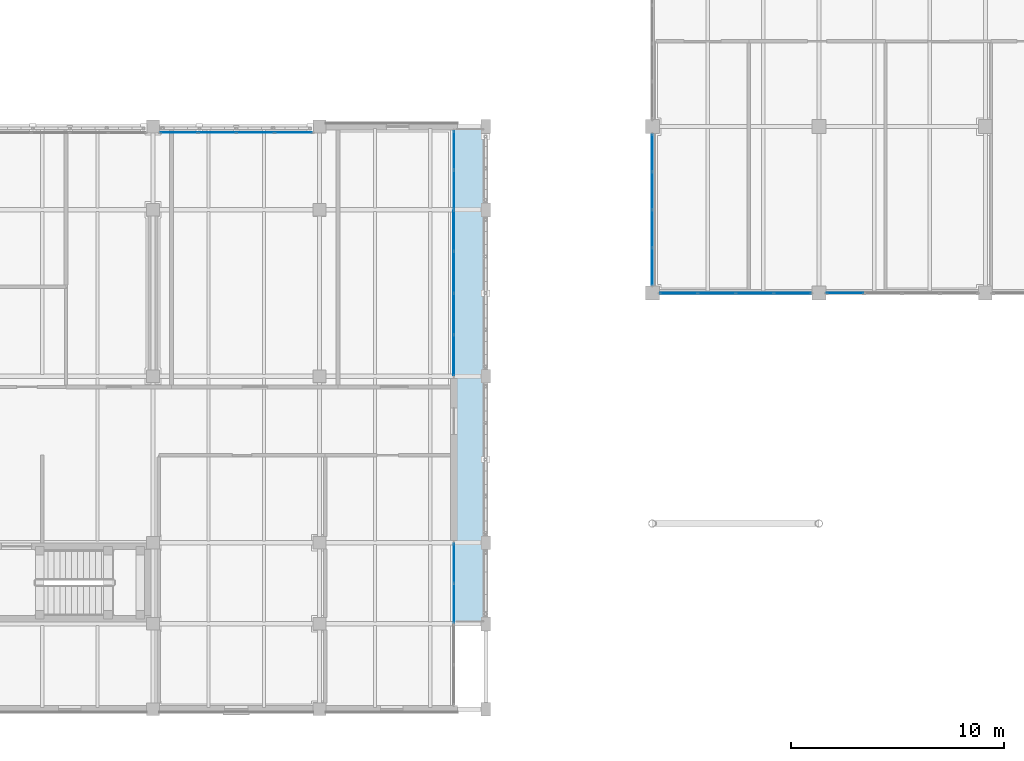
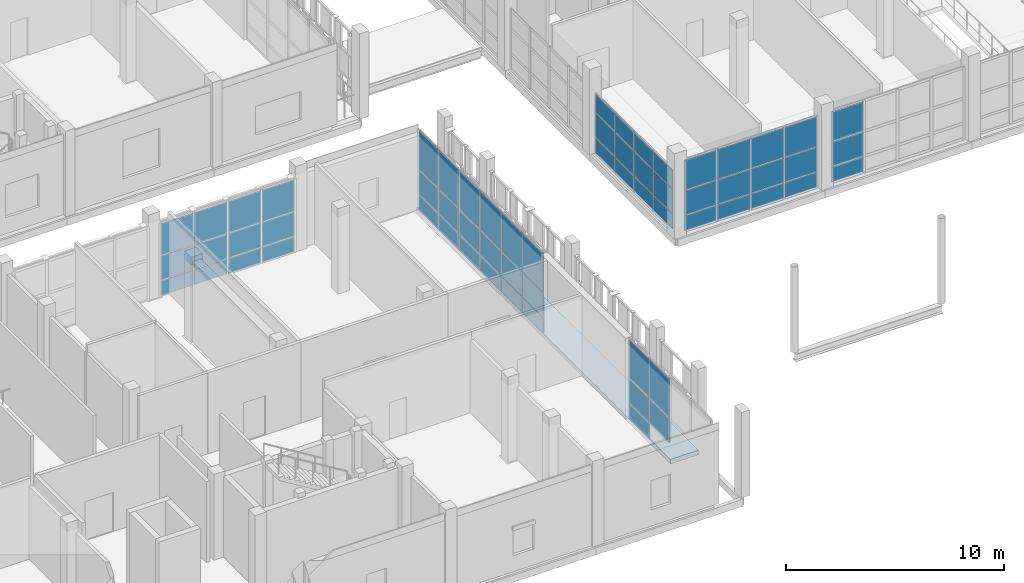
# One storey, part 77 of 138: 62 plates, 1 slab, 7 elements without a shape of their own.
"""IFC4 building model written with IfcOpenShell, lengths in metres."""

from ifc_helpers import new_model, si_unit, direction, frame, origin, origin_2d, place, context, subcontext, project, spatial, polyline, rectangle, outline, extrude, material, layer, layer_set, type_object, element, aggregate, save


model = new_model("IFC4")

# Units and contexts
model_context = context("Model", 3, precision=1e-05, world=origin(), true_north=direction((0.0, 1.0)))
body_context = subcontext(model_context, "Body", "Model", "MODEL_VIEW")
ifc_project = project(units=[si_unit("LENGTHUNIT", "METRE"), si_unit("AREAUNIT", "SQUARE_METRE"), si_unit("VOLUMEUNIT", "CUBIC_METRE"), si_unit("PLANEANGLEUNIT", "RADIAN"), si_unit("MASSUNIT", "GRAM", prefix="KILO")], contexts=[model_context])

# Site, building, storey
site_placement = place(None, origin())
site = spatial("IfcSite", under=ifc_project, at=site_placement, CompositionType="ELEMENT")
building_placement = place(site_placement, origin())
building = spatial("IfcBuilding", under=site, at=building_placement, Name="Celorna Specialist Clinic", CompositionType="ELEMENT")
storey_placement = place(building_placement, frame((0.0, 0.0, 4.800048828125)))
storey = spatial("IfcBuildingStorey", under=building, at=storey_placement, Name="L01", CompositionType="ELEMENT", Elevation=4.800048828125)

# Curtain wall, plates
ifc_material_1 = material(Name="Thermally broken aluminium and solar-control glass curtain wall", Category="aluminium")
ifc_layer_1 = layer(ifc_material_1, 0.159912109375, Name="Thermally broken aluminium and solar-control glass curtain wall")
ifc_layer_set_1 = layer_set([ifc_layer_1], Name="Thermally broken aluminium and solar-control glass curtain wall")
curtain_wall_type_1 = type_object("IfcCurtainWallType", Name="CW-16", PredefinedType="NOTDEFINED", material=ifc_layer_set_1)
curtain_wall_1_placement = place(storey_placement, origin())
curtain_wall_1 = element("IfcCurtainWall", 1, at=curtain_wall_1_placement, inside=storey, type_object=curtain_wall_type_1, Name="Curtain wall CW-16 #156", PredefinedType="NOTDEFINED")
ifc_material_2 = material(Name="Low-e double glazing", Category="glass")
ifc_layer_2 = layer(ifc_material_2, 0.028076171875, Name="Low-e double glazing")
ifc_layer_set_2 = layer_set([ifc_layer_2], Name="Low-e double glazing")
plate_type_1 = type_object("IfcPlateType", Name="CPN-01", PredefinedType="CURTAIN_PANEL", material=ifc_layer_set_2)
plate_1_placement = place(storey_placement, frame((32.41552734375, 27.02001953125, 0.0498046875), z_axis=(0.0, 0.0, 1.0), x_axis=(1.0, 0.0, 0.0)))
plate_1 = element("IfcPlate", 2, at=plate_1_placement, type_object=plate_type_1, Name="CW-16 panel 1.1", PredefinedType="CURTAIN_PANEL", context=body_context, shape_type="SweptSolid", body=[
    extrude(rectangle(XDim=1.722900390625, YDim=0.028076171875, at=origin_2d()), origin(), (0.0, 0.0, 1.0), 0.824951171875),
])
plate_2_placement = place(storey_placement, frame((32.41552734375, 27.02001953125, 0.9248046875), z_axis=(0.0, 0.0, 1.0), x_axis=(1.0, 0.0, 0.0)))
plate_2 = element("IfcPlate", 3, at=plate_2_placement, type_object=plate_type_1, Name="CW-16 panel 1.2", PredefinedType="CURTAIN_PANEL", context=body_context, shape_type="SweptSolid", body=[
    extrude(rectangle(XDim=1.722900390625, YDim=0.028076171875, at=origin_2d()), origin(), (0.0, 0.0, 1.0), 1.35009765625),
])
plate_3_placement = place(storey_placement, frame((32.41552734375, 27.02001953125, 2.3251953125), z_axis=(0.0, 0.0, 1.0), x_axis=(1.0, 0.0, 0.0)))
plate_3 = element("IfcPlate", 4, at=plate_3_placement, type_object=plate_type_1, Name="CW-16 panel 1.3", PredefinedType="CURTAIN_PANEL", context=body_context, shape_type="SweptSolid", body=[
    extrude(rectangle(XDim=1.722900390625, YDim=0.028076171875, at=origin_2d()), origin(), (0.0, 0.0, 1.0), 1.764892578125),
])
plate_4_placement = place(storey_placement, frame((34.200927734375, 27.02001953125, 0.0498046875), z_axis=(0.0, 0.0, 1.0), x_axis=(1.0, 0.0, 0.0)))
plate_4 = element("IfcPlate", 5, at=plate_4_placement, type_object=plate_type_1, Name="CW-16 panel 2.1", PredefinedType="CURTAIN_PANEL", context=body_context, shape_type="SweptSolid", body=[
    extrude(rectangle(XDim=1.748046875, YDim=0.028076171875, at=origin_2d()), origin(), (0.0, 0.0, 1.0), 0.824951171875),
])
plate_5_placement = place(storey_placement, frame((34.200927734375, 27.02001953125, 0.9248046875), z_axis=(0.0, 0.0, 1.0), x_axis=(1.0, 0.0, 0.0)))
plate_5 = element("IfcPlate", 6, at=plate_5_placement, type_object=plate_type_1, Name="CW-16 panel 2.2", PredefinedType="CURTAIN_PANEL", context=body_context, shape_type="SweptSolid", body=[
    extrude(rectangle(XDim=1.748046875, YDim=0.028076171875, at=origin_2d()), origin(), (0.0, 0.0, 1.0), 1.35009765625),
])
plate_6_placement = place(storey_placement, frame((34.200927734375, 27.02001953125, 2.3251953125), z_axis=(0.0, 0.0, 1.0), x_axis=(1.0, 0.0, 0.0)))
plate_6 = element("IfcPlate", 7, at=plate_6_placement, type_object=plate_type_1, Name="CW-16 panel 2.3", PredefinedType="CURTAIN_PANEL", context=body_context, shape_type="SweptSolid", body=[
    extrude(rectangle(XDim=1.748046875, YDim=0.028076171875, at=origin_2d()), origin(), (0.0, 0.0, 1.0), 1.764892578125),
])
plate_7_placement = place(storey_placement, frame((35.9990234375, 27.02001953125, 0.0498046875), z_axis=(0.0, 0.0, 1.0), x_axis=(1.0, 0.0, 0.0)))
plate_7 = element("IfcPlate", 8, at=plate_7_placement, type_object=plate_type_1, Name="CW-16 panel 3.1", PredefinedType="CURTAIN_PANEL", context=body_context, shape_type="SweptSolid", body=[
    extrude(rectangle(XDim=1.748046875, YDim=0.028076171875, at=origin_2d()), origin(), (0.0, 0.0, 1.0), 0.824951171875),
])
plate_8_placement = place(storey_placement, frame((35.9990234375, 27.02001953125, 0.9248046875), z_axis=(0.0, 0.0, 1.0), x_axis=(1.0, 0.0, 0.0)))
plate_8 = element("IfcPlate", 9, at=plate_8_placement, type_object=plate_type_1, Name="CW-16 panel 3.2", PredefinedType="CURTAIN_PANEL", context=body_context, shape_type="SweptSolid", body=[
    extrude(rectangle(XDim=1.748046875, YDim=0.028076171875, at=origin_2d()), origin(), (0.0, 0.0, 1.0), 1.35009765625),
])
plate_9_placement = place(storey_placement, frame((35.9990234375, 27.02001953125, 2.3251953125), z_axis=(0.0, 0.0, 1.0), x_axis=(1.0, 0.0, 0.0)))
plate_9 = element("IfcPlate", 10, at=plate_9_placement, type_object=plate_type_1, Name="CW-16 panel 3.3", PredefinedType="CURTAIN_PANEL", context=body_context, shape_type="SweptSolid", body=[
    extrude(rectangle(XDim=1.748046875, YDim=0.028076171875, at=origin_2d()), origin(), (0.0, 0.0, 1.0), 1.764892578125),
])
plate_10_placement = place(storey_placement, frame((37.784423828125, 27.02001953125, 0.0498046875), z_axis=(0.0, 0.0, 1.0), x_axis=(1.0, 0.0, 0.0)))
plate_10 = element("IfcPlate", 11, at=plate_10_placement, type_object=plate_type_1, Name="CW-16 panel 4.1", PredefinedType="CURTAIN_PANEL", context=body_context, shape_type="SweptSolid", body=[
    extrude(rectangle(XDim=1.722900390625, YDim=0.028076171875, at=origin_2d()), origin(), (0.0, 0.0, 1.0), 0.824951171875),
])
plate_11_placement = place(storey_placement, frame((37.784423828125, 27.02001953125, 0.9248046875), z_axis=(0.0, 0.0, 1.0), x_axis=(1.0, 0.0, 0.0)))
plate_11 = element("IfcPlate", 12, at=plate_11_placement, type_object=plate_type_1, Name="CW-16 panel 4.2", PredefinedType="CURTAIN_PANEL", context=body_context, shape_type="SweptSolid", body=[
    extrude(rectangle(XDim=1.722900390625, YDim=0.028076171875, at=origin_2d()), origin(), (0.0, 0.0, 1.0), 1.35009765625),
])
plate_12_placement = place(storey_placement, frame((37.784423828125, 27.02001953125, 2.3251953125), z_axis=(0.0, 0.0, 1.0), x_axis=(1.0, 0.0, 0.0)))
plate_12 = element("IfcPlate", 13, at=plate_12_placement, type_object=plate_type_1, Name="CW-16 panel 4.3", PredefinedType="CURTAIN_PANEL", context=body_context, shape_type="SweptSolid", body=[
    extrude(rectangle(XDim=1.722900390625, YDim=0.028076171875, at=origin_2d()), origin(), (0.0, 0.0, 1.0), 1.764892578125),
])
aggregate(curtain_wall_1, [plate_1, plate_2, plate_3, plate_4, plate_5, plate_6, plate_7, plate_8, plate_9, plate_10, plate_11, plate_12])

ifc_layer_3 = layer(ifc_material_1, 0.159912109375, Name="Thermally broken aluminium and solar-control glass curtain wall")
ifc_layer_set_3 = layer_set([ifc_layer_3], Name="Thermally broken aluminium and solar-control glass curtain wall")
curtain_wall_type_2 = type_object("IfcCurtainWallType", Name="CW-84", PredefinedType="NOTDEFINED", material=ifc_layer_set_3)
curtain_wall_2_placement = place(storey_placement, origin())
curtain_wall_2 = element("IfcCurtainWall", 14, at=curtain_wall_2_placement, inside=storey, type_object=curtain_wall_type_2, Name="Curtain wall CW-84 #158", PredefinedType="NOTDEFINED")
plate_13_placement = place(storey_placement, frame((45.300048828125, 6.83544921875, 0.0498046875), z_axis=(0.0, 0.0, 1.0), x_axis=(0.0, -1.0, 0.0)))
plate_13 = element("IfcPlate", 15, at=plate_13_placement, type_object=plate_type_1, Name="CW-84 panel 1.1", PredefinedType="CURTAIN_PANEL", context=body_context, shape_type="SweptSolid", body=[
    extrude(rectangle(XDim=1.821044921875, YDim=0.028076171875, at=origin_2d()), origin(), (0.0, 0.0, 1.0), 0.824951171875),
])
plate_14_placement = place(storey_placement, frame((45.300048828125, 6.83544921875, 0.9248046875), z_axis=(0.0, 0.0, 1.0), x_axis=(0.0, -1.0, 0.0)))
plate_14 = element("IfcPlate", 16, at=plate_14_placement, type_object=plate_type_1, Name="CW-84 panel 1.2", PredefinedType="CURTAIN_PANEL", context=body_context, shape_type="SweptSolid", body=[
    extrude(rectangle(XDim=1.821044921875, YDim=0.028076171875, at=origin_2d()), origin(), (0.0, 0.0, 1.0), 1.35009765625),
])
plate_15_placement = place(storey_placement, frame((45.300048828125, 6.83544921875, 2.324951171875), z_axis=(0.0, 0.0, 1.0), x_axis=(0.0, -1.0, 0.0)))
plate_15 = element("IfcPlate", 17, at=plate_15_placement, type_object=plate_type_1, Name="CW-84 panel 1.3", PredefinedType="CURTAIN_PANEL", context=body_context, shape_type="SweptSolid", body=[
    extrude(rectangle(XDim=1.821044921875, YDim=0.028076171875, at=origin_2d()), origin(), (0.0, 0.0, 1.0), 2.1650390625),
])
plate_16_placement = place(storey_placement, frame((45.300048828125, 4.964599609375, 0.9248046875), z_axis=(0.0, 0.0, 1.0), x_axis=(0.0, -1.0, 0.0)))
plate_16 = element("IfcPlate", 18, at=plate_16_placement, type_object=plate_type_1, Name="CW-84 panel 2.2", PredefinedType="CURTAIN_PANEL", context=body_context, shape_type="SweptSolid", body=[
    extrude(rectangle(XDim=1.821044921875, YDim=0.028076171875, at=origin_2d()), origin(), (0.0, 0.0, 1.0), 1.35009765625),
])
plate_17_placement = place(storey_placement, frame((45.300048828125, 4.964599609375, 2.324951171875), z_axis=(0.0, 0.0, 1.0), x_axis=(0.0, -1.0, 0.0)))
plate_17 = element("IfcPlate", 19, at=plate_17_placement, type_object=plate_type_1, Name="CW-84 panel 2.3", PredefinedType="CURTAIN_PANEL", context=body_context, shape_type="SweptSolid", body=[
    extrude(rectangle(XDim=1.821044921875, YDim=0.028076171875, at=origin_2d()), origin(), (0.0, 0.0, 1.0), 2.1650390625),
])
aggregate(curtain_wall_2, [plate_13, plate_14, plate_15, plate_16, plate_17])

ifc_layer_4 = layer(ifc_material_1, 0.159912109375, Name="Thermally broken aluminium and solar-control glass curtain wall")
ifc_layer_set_4 = layer_set([ifc_layer_4], Name="Thermally broken aluminium and solar-control glass curtain wall")
curtain_wall_type_3 = type_object("IfcCurtainWallType", Name="CW-86", PredefinedType="NOTDEFINED", material=ifc_layer_set_4)
curtain_wall_3_placement = place(storey_placement, origin())
curtain_wall_3 = element("IfcCurtainWall", 20, at=curtain_wall_3_placement, inside=storey, type_object=curtain_wall_type_3, Name="Curtain wall CW-86 #160", PredefinedType="NOTDEFINED")
plate_18_placement = place(storey_placement, frame((45.300048828125, 26.18310546875, 0.0498046875), z_axis=(0.0, 0.0, 1.0), x_axis=(0.0, -1.0, 0.0)))
plate_18 = element("IfcPlate", 21, at=plate_18_placement, type_object=plate_type_1, Name="CW-86 panel 1.1", PredefinedType="CURTAIN_PANEL", context=body_context, shape_type="SweptSolid", body=[
    extrude(rectangle(XDim=1.785888671875, YDim=0.028076171875, at=origin_2d()), origin(), (0.0, 0.0, 1.0), 0.824951171875),
])
plate_19_placement = place(storey_placement, frame((45.300048828125, 26.18310546875, 0.9248046875), z_axis=(0.0, 0.0, 1.0), x_axis=(0.0, -1.0, 0.0)))
plate_19 = element("IfcPlate", 22, at=plate_19_placement, type_object=plate_type_1, Name="CW-86 panel 1.2", PredefinedType="CURTAIN_PANEL", context=body_context, shape_type="SweptSolid", body=[
    extrude(rectangle(XDim=1.785888671875, YDim=0.028076171875, at=origin_2d()), origin(), (0.0, 0.0, 1.0), 1.35009765625),
])
plate_20_placement = place(storey_placement, frame((45.300048828125, 26.18310546875, 2.324951171875), z_axis=(0.0, 0.0, 1.0), x_axis=(0.0, -1.0, 0.0)))
plate_20 = element("IfcPlate", 23, at=plate_20_placement, type_object=plate_type_1, Name="CW-86 panel 1.3", PredefinedType="CURTAIN_PANEL", context=body_context, shape_type="SweptSolid", body=[
    extrude(rectangle(XDim=1.785888671875, YDim=0.028076171875, at=origin_2d()), origin(), (0.0, 0.0, 1.0), 2.1650390625),
])
plate_21_placement = place(storey_placement, frame((45.300048828125, 24.346923828125, 0.0498046875), z_axis=(0.0, 0.0, 1.0), x_axis=(0.0, -1.0, 0.0)))
plate_21 = element("IfcPlate", 24, at=plate_21_placement, type_object=plate_type_1, Name="CW-86 panel 2.1", PredefinedType="CURTAIN_PANEL", context=body_context, shape_type="SweptSolid", body=[
    extrude(rectangle(XDim=1.785888671875, YDim=0.028076171875, at=origin_2d()), origin(), (0.0, 0.0, 1.0), 0.824951171875),
])
plate_22_placement = place(storey_placement, frame((45.300048828125, 24.346923828125, 0.9248046875), z_axis=(0.0, 0.0, 1.0), x_axis=(0.0, -1.0, 0.0)))
plate_22 = element("IfcPlate", 25, at=plate_22_placement, type_object=plate_type_1, Name="CW-86 panel 2.2", PredefinedType="CURTAIN_PANEL", context=body_context, shape_type="SweptSolid", body=[
    extrude(rectangle(XDim=1.785888671875, YDim=0.028076171875, at=origin_2d()), origin(), (0.0, 0.0, 1.0), 1.35009765625),
])
plate_23_placement = place(storey_placement, frame((45.300048828125, 24.346923828125, 2.324951171875), z_axis=(0.0, 0.0, 1.0), x_axis=(0.0, -1.0, 0.0)))
plate_23 = element("IfcPlate", 26, at=plate_23_placement, type_object=plate_type_1, Name="CW-86 panel 2.3", PredefinedType="CURTAIN_PANEL", context=body_context, shape_type="SweptSolid", body=[
    extrude(rectangle(XDim=1.785888671875, YDim=0.028076171875, at=origin_2d()), origin(), (0.0, 0.0, 1.0), 2.1650390625),
])
aggregate(curtain_wall_3, [plate_18, plate_19, plate_20, plate_21, plate_22, plate_23])

ifc_layer_5 = layer(ifc_material_1, 0.159912109375, Name="Thermally broken aluminium and solar-control glass curtain wall")
ifc_layer_set_5 = layer_set([ifc_layer_5], Name="Thermally broken aluminium and solar-control glass curtain wall")
curtain_wall_type_4 = type_object("IfcCurtainWallType", Name="CW-106", PredefinedType="NOTDEFINED", material=ifc_layer_set_5)
curtain_wall_4_placement = place(storey_placement, origin())
curtain_wall_4 = element("IfcCurtainWall", 27, at=curtain_wall_4_placement, inside=storey, type_object=curtain_wall_type_4, Name="Curtain wall CW-106 #187", PredefinedType="NOTDEFINED")
plate_24_placement = place(storey_placement, frame((63.63427734375, 19.5, 0.0498046875), z_axis=(0.0, 0.0, 1.0), x_axis=(-1.0, 0.0, 0.0)))
plate_24 = element("IfcPlate", 28, at=plate_24_placement, type_object=plate_type_1, Name="CW-106 panel 4.1", PredefinedType="CURTAIN_PANEL", context=body_context, shape_type="SweptSolid", body=[
    extrude(rectangle(XDim=1.71044921875, YDim=0.028076171875, at=origin_2d()), origin(), (0.0, 0.0, 1.0), 0.824951171875),
])
plate_25_placement = place(storey_placement, frame((63.63427734375, 19.5, 0.9248046875), z_axis=(0.0, 0.0, 1.0), x_axis=(-1.0, 0.0, 0.0)))
plate_25 = element("IfcPlate", 29, at=plate_25_placement, type_object=plate_type_1, Name="CW-106 panel 4.2", PredefinedType="CURTAIN_PANEL", context=body_context, shape_type="SweptSolid", body=[
    extrude(rectangle(XDim=1.71044921875, YDim=0.028076171875, at=origin_2d()), origin(), (0.0, 0.0, 1.0), 1.35009765625),
])
plate_26_placement = place(storey_placement, frame((63.63427734375, 19.5, 2.324951171875), z_axis=(0.0, 0.0, 1.0), x_axis=(-1.0, 0.0, 0.0)))
plate_26 = element("IfcPlate", 30, at=plate_26_placement, type_object=plate_type_1, Name="CW-106 panel 4.3", PredefinedType="CURTAIN_PANEL", context=body_context, shape_type="SweptSolid", body=[
    extrude(rectangle(XDim=1.71044921875, YDim=0.028076171875, at=origin_2d()), origin(), (0.0, 0.0, 1.0), 1.6650390625),
])
aggregate(curtain_wall_4, [plate_24, plate_25, plate_26])

ifc_layer_6 = layer(ifc_material_1, 0.159912109375, Name="Thermally broken aluminium and solar-control glass curtain wall")
ifc_layer_set_6 = layer_set([ifc_layer_6], Name="Thermally broken aluminium and solar-control glass curtain wall")
curtain_wall_type_5 = type_object("IfcCurtainWallType", Name="CW-85", PredefinedType="NOTDEFINED", material=ifc_layer_set_6)
curtain_wall_5_placement = place(storey_placement, origin())
curtain_wall_5 = element("IfcCurtainWall", 31, at=curtain_wall_5_placement, inside=storey, type_object=curtain_wall_type_5, Name="Curtain wall CW-85 #159", PredefinedType="NOTDEFINED")
ifc_material_3 = material(Name="Glazed polychrome ceramic insulated spandrel")
ifc_layer_7 = layer(ifc_material_3, 0.0439453125, Name="Glazed polychrome ceramic insulated spandrel")
ifc_layer_set_7 = layer_set([ifc_layer_7], Name="Glazed polychrome ceramic insulated spandrel")
plate_type_2 = type_object("IfcPlateType", Name="CPN-03", PredefinedType="CURTAIN_PANEL", material=ifc_layer_set_7)
plate_27_placement = place(storey_placement, frame((45.300048828125, 22.409423828125, 0.0498046875), z_axis=(0.0, 0.0, 1.0), x_axis=(0.0, -1.0, 0.0)))
plate_27 = element("IfcPlate", 32, at=plate_27_placement, type_object=plate_type_2, Name="CW-85 panel 1.1", PredefinedType="CURTAIN_PANEL", context=body_context, shape_type="SweptSolid", body=[
    extrude(rectangle(XDim=1.873046875, YDim=0.0439453125, at=origin_2d()), origin(), (0.0, 0.0, 1.0), 0.824951171875),
])
plate_28_placement = place(storey_placement, frame((45.300048828125, 22.409423828125, 0.9248046875), z_axis=(0.0, 0.0, 1.0), x_axis=(0.0, -1.0, 0.0)))
plate_28 = element("IfcPlate", 33, at=plate_28_placement, type_object=plate_type_2, Name="CW-85 panel 1.2", PredefinedType="CURTAIN_PANEL", context=body_context, shape_type="SweptSolid", body=[
    extrude(rectangle(XDim=1.873046875, YDim=0.0439453125, at=origin_2d()), origin(), (0.0, 0.0, 1.0), 1.35009765625),
])
plate_29_placement = place(storey_placement, frame((45.300048828125, 22.409423828125, 2.324951171875), z_axis=(0.0, 0.0, 1.0), x_axis=(0.0, -1.0, 0.0)))
plate_29 = element("IfcPlate", 34, at=plate_29_placement, type_object=plate_type_2, Name="CW-85 panel 1.3", PredefinedType="CURTAIN_PANEL", context=body_context, shape_type="SweptSolid", body=[
    extrude(rectangle(XDim=1.873046875, YDim=0.0439453125, at=origin_2d()), origin(), (0.0, 0.0, 1.0), 2.1650390625),
])
plate_30_placement = place(storey_placement, frame((45.300048828125, 20.47412109375, 0.0498046875), z_axis=(0.0, 0.0, 1.0), x_axis=(0.0, -1.0, 0.0)))
plate_30 = element("IfcPlate", 35, at=plate_30_placement, type_object=plate_type_2, Name="CW-85 panel 2.1", PredefinedType="CURTAIN_PANEL", context=body_context, shape_type="SweptSolid", body=[
    extrude(rectangle(XDim=1.89794921875, YDim=0.0439453125, at=origin_2d()), origin(), (0.0, 0.0, 1.0), 0.824951171875),
])
plate_31_placement = place(storey_placement, frame((45.300048828125, 20.47412109375, 0.9248046875), z_axis=(0.0, 0.0, 1.0), x_axis=(0.0, -1.0, 0.0)))
plate_31 = element("IfcPlate", 36, at=plate_31_placement, type_object=plate_type_2, Name="CW-85 panel 2.2", PredefinedType="CURTAIN_PANEL", context=body_context, shape_type="SweptSolid", body=[
    extrude(rectangle(XDim=1.89794921875, YDim=0.0439453125, at=origin_2d()), origin(), (0.0, 0.0, 1.0), 1.35009765625),
])
plate_32_placement = place(storey_placement, frame((45.300048828125, 20.47412109375, 2.324951171875), z_axis=(0.0, 0.0, 1.0), x_axis=(0.0, -1.0, 0.0)))
plate_32 = element("IfcPlate", 37, at=plate_32_placement, type_object=plate_type_2, Name="CW-85 panel 2.3", PredefinedType="CURTAIN_PANEL", context=body_context, shape_type="SweptSolid", body=[
    extrude(rectangle(XDim=1.89794921875, YDim=0.0439453125, at=origin_2d()), origin(), (0.0, 0.0, 1.0), 2.1650390625),
])
plate_33_placement = place(storey_placement, frame((45.300048828125, 18.52587890625, 0.0498046875), z_axis=(0.0, 0.0, 1.0), x_axis=(0.0, -1.0, 0.0)))
plate_33 = element("IfcPlate", 38, at=plate_33_placement, type_object=plate_type_2, Name="CW-85 panel 3.1", PredefinedType="CURTAIN_PANEL", context=body_context, shape_type="SweptSolid", body=[
    extrude(rectangle(XDim=1.89794921875, YDim=0.0439453125, at=origin_2d()), origin(), (0.0, 0.0, 1.0), 0.824951171875),
])
plate_34_placement = place(storey_placement, frame((45.300048828125, 18.52587890625, 0.9248046875), z_axis=(0.0, 0.0, 1.0), x_axis=(0.0, -1.0, 0.0)))
plate_34 = element("IfcPlate", 39, at=plate_34_placement, type_object=plate_type_2, Name="CW-85 panel 3.2", PredefinedType="CURTAIN_PANEL", context=body_context, shape_type="SweptSolid", body=[
    extrude(rectangle(XDim=1.89794921875, YDim=0.0439453125, at=origin_2d()), origin(), (0.0, 0.0, 1.0), 1.35009765625),
])
plate_35_placement = place(storey_placement, frame((45.300048828125, 18.52587890625, 2.324951171875), z_axis=(0.0, 0.0, 1.0), x_axis=(0.0, -1.0, 0.0)))
plate_35 = element("IfcPlate", 40, at=plate_35_placement, type_object=plate_type_2, Name="CW-85 panel 3.3", PredefinedType="CURTAIN_PANEL", context=body_context, shape_type="SweptSolid", body=[
    extrude(rectangle(XDim=1.89794921875, YDim=0.0439453125, at=origin_2d()), origin(), (0.0, 0.0, 1.0), 2.1650390625),
])
plate_36_placement = place(storey_placement, frame((45.300048828125, 16.590576171875, 0.0498046875), z_axis=(0.0, 0.0, 1.0), x_axis=(0.0, -1.0, 0.0)))
plate_36 = element("IfcPlate", 41, at=plate_36_placement, type_object=plate_type_2, Name="CW-85 panel 4.1", PredefinedType="CURTAIN_PANEL", context=body_context, shape_type="SweptSolid", body=[
    extrude(rectangle(XDim=1.873046875, YDim=0.0439453125, at=origin_2d()), origin(), (0.0, 0.0, 1.0), 0.824951171875),
])
plate_37_placement = place(storey_placement, frame((45.300048828125, 16.590576171875, 0.9248046875), z_axis=(0.0, 0.0, 1.0), x_axis=(0.0, -1.0, 0.0)))
plate_37 = element("IfcPlate", 42, at=plate_37_placement, type_object=plate_type_2, Name="CW-85 panel 4.2", PredefinedType="CURTAIN_PANEL", context=body_context, shape_type="SweptSolid", body=[
    extrude(rectangle(XDim=1.873046875, YDim=0.0439453125, at=origin_2d()), origin(), (0.0, 0.0, 1.0), 1.35009765625),
])
plate_38_placement = place(storey_placement, frame((45.300048828125, 16.590576171875, 2.324951171875), z_axis=(0.0, 0.0, 1.0), x_axis=(0.0, -1.0, 0.0)))
plate_38 = element("IfcPlate", 43, at=plate_38_placement, type_object=plate_type_2, Name="CW-85 panel 4.3", PredefinedType="CURTAIN_PANEL", context=body_context, shape_type="SweptSolid", body=[
    extrude(rectangle(XDim=1.873046875, YDim=0.0439453125, at=origin_2d()), origin(), (0.0, 0.0, 1.0), 2.1650390625),
])
aggregate(curtain_wall_5, [plate_27, plate_28, plate_29, plate_30, plate_31, plate_32, plate_33, plate_34, plate_35, plate_36, plate_37, plate_38])

ifc_layer_8 = layer(ifc_material_1, 0.159912109375, Name="Thermally broken aluminium and solar-control glass curtain wall")
ifc_layer_set_8 = layer_set([ifc_layer_8], Name="Thermally broken aluminium and solar-control glass curtain wall")
curtain_wall_type_6 = type_object("IfcCurtainWallType", Name="CW-105", PredefinedType="NOTDEFINED", material=ifc_layer_set_8)
curtain_wall_6_placement = place(storey_placement, origin())
curtain_wall_6 = element("IfcCurtainWall", 44, at=curtain_wall_6_placement, inside=storey, type_object=curtain_wall_type_6, Name="Curtain wall CW-105 #186", PredefinedType="NOTDEFINED")
plate_39_placement = place(storey_placement, frame((61.165771484375, 19.5, 0.0498046875), z_axis=(0.0, 0.0, 1.0), x_axis=(-1.0, 0.0, 0.0)))
plate_39 = element("IfcPlate", 45, at=plate_39_placement, type_object=plate_type_2, Name="CW-105 panel 1.1", PredefinedType="CURTAIN_PANEL", context=body_context, shape_type="SweptSolid", body=[
    extrude(rectangle(XDim=1.71044921875, YDim=0.0439453125, at=origin_2d()), origin(), (0.0, 0.0, 1.0), 0.824951171875),
])
plate_40_placement = place(storey_placement, frame((61.165771484375, 19.5, 0.9248046875), z_axis=(0.0, 0.0, 1.0), x_axis=(-1.0, 0.0, 0.0)))
plate_40 = element("IfcPlate", 46, at=plate_40_placement, type_object=plate_type_2, Name="CW-105 panel 1.2", PredefinedType="CURTAIN_PANEL", context=body_context, shape_type="SweptSolid", body=[
    extrude(rectangle(XDim=1.71044921875, YDim=0.0439453125, at=origin_2d()), origin(), (0.0, 0.0, 1.0), 1.35009765625),
])
plate_41_placement = place(storey_placement, frame((61.165771484375, 19.5, 2.324951171875), z_axis=(0.0, 0.0, 1.0), x_axis=(-1.0, 0.0, 0.0)))
plate_41 = element("IfcPlate", 47, at=plate_41_placement, type_object=plate_type_2, Name="CW-105 panel 1.3", PredefinedType="CURTAIN_PANEL", context=body_context, shape_type="SweptSolid", body=[
    extrude(rectangle(XDim=1.71044921875, YDim=0.0439453125, at=origin_2d()), origin(), (0.0, 0.0, 1.0), 1.6650390625),
])
plate_42_placement = place(storey_placement, frame((59.392822265625, 19.5, 0.0498046875), z_axis=(0.0, 0.0, 1.0), x_axis=(-1.0, 0.0, 0.0)))
plate_42 = element("IfcPlate", 48, at=plate_42_placement, type_object=plate_type_2, Name="CW-105 panel 2.1", PredefinedType="CURTAIN_PANEL", context=body_context, shape_type="SweptSolid", body=[
    extrude(rectangle(XDim=1.735595703125, YDim=0.0439453125, at=origin_2d()), origin(), (0.0, 0.0, 1.0), 0.824951171875),
])
plate_43_placement = place(storey_placement, frame((59.392822265625, 19.5, 0.9248046875), z_axis=(0.0, 0.0, 1.0), x_axis=(-1.0, 0.0, 0.0)))
plate_43 = element("IfcPlate", 49, at=plate_43_placement, type_object=plate_type_2, Name="CW-105 panel 2.2", PredefinedType="CURTAIN_PANEL", context=body_context, shape_type="SweptSolid", body=[
    extrude(rectangle(XDim=1.735595703125, YDim=0.0439453125, at=origin_2d()), origin(), (0.0, 0.0, 1.0), 1.35009765625),
])
plate_44_placement = place(storey_placement, frame((59.392822265625, 19.5, 2.324951171875), z_axis=(0.0, 0.0, 1.0), x_axis=(-1.0, 0.0, 0.0)))
plate_44 = element("IfcPlate", 50, at=plate_44_placement, type_object=plate_type_2, Name="CW-105 panel 2.3", PredefinedType="CURTAIN_PANEL", context=body_context, shape_type="SweptSolid", body=[
    extrude(rectangle(XDim=1.735595703125, YDim=0.0439453125, at=origin_2d()), origin(), (0.0, 0.0, 1.0), 1.6650390625),
])
plate_45_placement = place(storey_placement, frame((57.607177734375, 19.5, 0.0498046875), z_axis=(0.0, 0.0, 1.0), x_axis=(-1.0, 0.0, 0.0)))
plate_45 = element("IfcPlate", 51, at=plate_45_placement, type_object=plate_type_2, Name="CW-105 panel 3.1", PredefinedType="CURTAIN_PANEL", context=body_context, shape_type="SweptSolid", body=[
    extrude(rectangle(XDim=1.735595703125, YDim=0.0439453125, at=origin_2d()), origin(), (0.0, 0.0, 1.0), 0.824951171875),
])
plate_46_placement = place(storey_placement, frame((57.607177734375, 19.5, 0.9248046875), z_axis=(0.0, 0.0, 1.0), x_axis=(-1.0, 0.0, 0.0)))
plate_46 = element("IfcPlate", 52, at=plate_46_placement, type_object=plate_type_2, Name="CW-105 panel 3.2", PredefinedType="CURTAIN_PANEL", context=body_context, shape_type="SweptSolid", body=[
    extrude(rectangle(XDim=1.735595703125, YDim=0.0439453125, at=origin_2d()), origin(), (0.0, 0.0, 1.0), 1.35009765625),
])
plate_47_placement = place(storey_placement, frame((57.607177734375, 19.5, 2.324951171875), z_axis=(0.0, 0.0, 1.0), x_axis=(-1.0, 0.0, 0.0)))
plate_47 = element("IfcPlate", 53, at=plate_47_placement, type_object=plate_type_2, Name="CW-105 panel 3.3", PredefinedType="CURTAIN_PANEL", context=body_context, shape_type="SweptSolid", body=[
    extrude(rectangle(XDim=1.735595703125, YDim=0.0439453125, at=origin_2d()), origin(), (0.0, 0.0, 1.0), 1.6650390625),
])
plate_48_placement = place(storey_placement, frame((55.834228515625, 19.5, 0.0498046875), z_axis=(0.0, 0.0, 1.0), x_axis=(-1.0, 0.0, 0.0)))
plate_48 = element("IfcPlate", 54, at=plate_48_placement, type_object=plate_type_2, Name="CW-105 panel 4.1", PredefinedType="CURTAIN_PANEL", context=body_context, shape_type="SweptSolid", body=[
    extrude(rectangle(XDim=1.71044921875, YDim=0.0439453125, at=origin_2d()), origin(), (0.0, 0.0, 1.0), 0.824951171875),
])
plate_49_placement = place(storey_placement, frame((55.834228515625, 19.5, 0.9248046875), z_axis=(0.0, 0.0, 1.0), x_axis=(-1.0, 0.0, 0.0)))
plate_49 = element("IfcPlate", 55, at=plate_49_placement, type_object=plate_type_2, Name="CW-105 panel 4.2", PredefinedType="CURTAIN_PANEL", context=body_context, shape_type="SweptSolid", body=[
    extrude(rectangle(XDim=1.71044921875, YDim=0.0439453125, at=origin_2d()), origin(), (0.0, 0.0, 1.0), 1.35009765625),
])
plate_50_placement = place(storey_placement, frame((55.834228515625, 19.5, 2.324951171875), z_axis=(0.0, 0.0, 1.0), x_axis=(-1.0, 0.0, 0.0)))
plate_50 = element("IfcPlate", 56, at=plate_50_placement, type_object=plate_type_2, Name="CW-105 panel 4.3", PredefinedType="CURTAIN_PANEL", context=body_context, shape_type="SweptSolid", body=[
    extrude(rectangle(XDim=1.71044921875, YDim=0.0439453125, at=origin_2d()), origin(), (0.0, 0.0, 1.0), 1.6650390625),
])
aggregate(curtain_wall_6, [plate_39, plate_40, plate_41, plate_42, plate_43, plate_44, plate_45, plate_46, plate_47, plate_48, plate_49, plate_50])

ifc_layer_9 = layer(ifc_material_1, 0.159912109375, Name="Thermally broken aluminium and solar-control glass curtain wall")
ifc_layer_set_9 = layer_set([ifc_layer_9], Name="Thermally broken aluminium and solar-control glass curtain wall")
curtain_wall_type_7 = type_object("IfcCurtainWallType", Name="CW-108", PredefinedType="NOTDEFINED", material=ifc_layer_set_9)
curtain_wall_7_placement = place(storey_placement, origin())
curtain_wall_7 = element("IfcCurtainWall", 57, at=curtain_wall_7_placement, inside=storey, type_object=curtain_wall_type_7, Name="Curtain wall CW-108 #190", PredefinedType="NOTDEFINED")
plate_51_placement = place(storey_placement, frame((54.60009765625, 20.734130859375, 0.0498046875), z_axis=(0.0, 0.0, 1.0), x_axis=(0.0, 1.0, 0.0)))
plate_51 = element("IfcPlate", 58, at=plate_51_placement, type_object=plate_type_2, Name="CW-108 panel 1.1", PredefinedType="CURTAIN_PANEL", context=body_context, shape_type="SweptSolid", body=[
    extrude(rectangle(XDim=1.71044921875, YDim=0.0439453125, at=origin_2d()), origin(), (0.0, 0.0, 1.0), 0.824951171875),
])
plate_52_placement = place(storey_placement, frame((54.60009765625, 20.734130859375, 0.9248046875), z_axis=(0.0, 0.0, 1.0), x_axis=(0.0, 1.0, 0.0)))
plate_52 = element("IfcPlate", 59, at=plate_52_placement, type_object=plate_type_2, Name="CW-108 panel 1.2", PredefinedType="CURTAIN_PANEL", context=body_context, shape_type="SweptSolid", body=[
    extrude(rectangle(XDim=1.71044921875, YDim=0.0439453125, at=origin_2d()), origin(), (0.0, 0.0, 1.0), 1.35009765625),
])
plate_53_placement = place(storey_placement, frame((54.60009765625, 20.734130859375, 2.3251953125), z_axis=(0.0, 0.0, 1.0), x_axis=(0.0, 1.0, 0.0)))
plate_53 = element("IfcPlate", 60, at=plate_53_placement, type_object=plate_type_2, Name="CW-108 panel 1.3", PredefinedType="CURTAIN_PANEL", context=body_context, shape_type="SweptSolid", body=[
    extrude(rectangle(XDim=1.71044921875, YDim=0.0439453125, at=origin_2d()), origin(), (0.0, 0.0, 1.0), 1.014892578125),
])
plate_54_placement = place(storey_placement, frame((54.60009765625, 22.50732421875, 0.0498046875), z_axis=(0.0, 0.0, 1.0), x_axis=(0.0, 1.0, 0.0)))
plate_54 = element("IfcPlate", 61, at=plate_54_placement, type_object=plate_type_2, Name="CW-108 panel 2.1", PredefinedType="CURTAIN_PANEL", context=body_context, shape_type="SweptSolid", body=[
    extrude(rectangle(XDim=1.735595703125, YDim=0.0439453125, at=origin_2d()), origin(), (0.0, 0.0, 1.0), 0.824951171875),
])
plate_55_placement = place(storey_placement, frame((54.60009765625, 22.50732421875, 0.9248046875), z_axis=(0.0, 0.0, 1.0), x_axis=(0.0, 1.0, 0.0)))
plate_55 = element("IfcPlate", 62, at=plate_55_placement, type_object=plate_type_2, Name="CW-108 panel 2.2", PredefinedType="CURTAIN_PANEL", context=body_context, shape_type="SweptSolid", body=[
    extrude(rectangle(XDim=1.735595703125, YDim=0.0439453125, at=origin_2d()), origin(), (0.0, 0.0, 1.0), 1.35009765625),
])
plate_56_placement = place(storey_placement, frame((54.60009765625, 22.50732421875, 2.3251953125), z_axis=(0.0, 0.0, 1.0), x_axis=(0.0, 1.0, 0.0)))
plate_56 = element("IfcPlate", 63, at=plate_56_placement, type_object=plate_type_2, Name="CW-108 panel 2.3", PredefinedType="CURTAIN_PANEL", context=body_context, shape_type="SweptSolid", body=[
    extrude(rectangle(XDim=1.735595703125, YDim=0.0439453125, at=origin_2d()), origin(), (0.0, 0.0, 1.0), 1.014892578125),
])
plate_57_placement = place(storey_placement, frame((54.60009765625, 24.292724609375, 0.0498046875), z_axis=(0.0, 0.0, 1.0), x_axis=(0.0, 1.0, 0.0)))
plate_57 = element("IfcPlate", 64, at=plate_57_placement, type_object=plate_type_2, Name="CW-108 panel 3.1", PredefinedType="CURTAIN_PANEL", context=body_context, shape_type="SweptSolid", body=[
    extrude(rectangle(XDim=1.735595703125, YDim=0.0439453125, at=origin_2d()), origin(), (0.0, 0.0, 1.0), 0.824951171875),
])
plate_58_placement = place(storey_placement, frame((54.60009765625, 24.292724609375, 0.9248046875), z_axis=(0.0, 0.0, 1.0), x_axis=(0.0, 1.0, 0.0)))
plate_58 = element("IfcPlate", 65, at=plate_58_placement, type_object=plate_type_2, Name="CW-108 panel 3.2", PredefinedType="CURTAIN_PANEL", context=body_context, shape_type="SweptSolid", body=[
    extrude(rectangle(XDim=1.735595703125, YDim=0.0439453125, at=origin_2d()), origin(), (0.0, 0.0, 1.0), 1.35009765625),
])
plate_59_placement = place(storey_placement, frame((54.60009765625, 24.292724609375, 2.3251953125), z_axis=(0.0, 0.0, 1.0), x_axis=(0.0, 1.0, 0.0)))
plate_59 = element("IfcPlate", 66, at=plate_59_placement, type_object=plate_type_2, Name="CW-108 panel 3.3", PredefinedType="CURTAIN_PANEL", context=body_context, shape_type="SweptSolid", body=[
    extrude(rectangle(XDim=1.735595703125, YDim=0.0439453125, at=origin_2d()), origin(), (0.0, 0.0, 1.0), 1.014892578125),
])
plate_60_placement = place(storey_placement, frame((54.60009765625, 26.065673828125, 0.0498046875), z_axis=(0.0, 0.0, 1.0), x_axis=(0.0, 1.0, 0.0)))
plate_60 = element("IfcPlate", 67, at=plate_60_placement, type_object=plate_type_2, Name="CW-108 panel 4.1", PredefinedType="CURTAIN_PANEL", context=body_context, shape_type="SweptSolid", body=[
    extrude(rectangle(XDim=1.71044921875, YDim=0.0439453125, at=origin_2d()), origin(), (0.0, 0.0, 1.0), 0.824951171875),
])
plate_61_placement = place(storey_placement, frame((54.60009765625, 26.065673828125, 0.9248046875), z_axis=(0.0, 0.0, 1.0), x_axis=(0.0, 1.0, 0.0)))
plate_61 = element("IfcPlate", 68, at=plate_61_placement, type_object=plate_type_2, Name="CW-108 panel 4.2", PredefinedType="CURTAIN_PANEL", context=body_context, shape_type="SweptSolid", body=[
    extrude(rectangle(XDim=1.71044921875, YDim=0.0439453125, at=origin_2d()), origin(), (0.0, 0.0, 1.0), 1.35009765625),
])
plate_62_placement = place(storey_placement, frame((54.60009765625, 26.065673828125, 2.3251953125), z_axis=(0.0, 0.0, 1.0), x_axis=(0.0, 1.0, 0.0)))
plate_62 = element("IfcPlate", 69, at=plate_62_placement, type_object=plate_type_2, Name="CW-108 panel 4.3", PredefinedType="CURTAIN_PANEL", context=body_context, shape_type="SweptSolid", body=[
    extrude(rectangle(XDim=1.71044921875, YDim=0.0439453125, at=origin_2d()), origin(), (0.0, 0.0, 1.0), 1.014892578125),
])
aggregate(curtain_wall_7, [plate_51, plate_52, plate_53, plate_54, plate_55, plate_56, plate_57, plate_58, plate_59, plate_60, plate_61, plate_62])

# Slab
ifc_material_4 = material(Name="Concrete C35/45", Category="concrete")
ifc_layer_10 = layer(ifc_material_4, 0.260009765625, Name="Concrete C35/45")
ifc_layer_set_10 = layer_set([ifc_layer_10], Name="Concrete C35/45")
slab_type = type_object("IfcSlabType", Name="SL-07", PredefinedType="FLOOR", material=ifc_layer_set_10)
slab_placement = place(storey_placement, frame((0.0, 0.0, -0.260009765625)))
element("IfcSlab", 70, at=slab_placement, inside=storey, type_object=slab_type, Name="Pharmacy Forecourt Veranda", PredefinedType="FLOOR", context=body_context, shape_type="SweptSolid", body=[
    extrude(outline(polyline([(45.300048828125, 4.0), (46.800048828125, 4.0), (46.800048828125, 27.300048828125), (45.300048828125, 27.300048828125), (45.300048828125, 4.0)])), origin(), (0.0, 0.0, 1.0), 0.260009765625),
])

save(model, "model.ifc")
